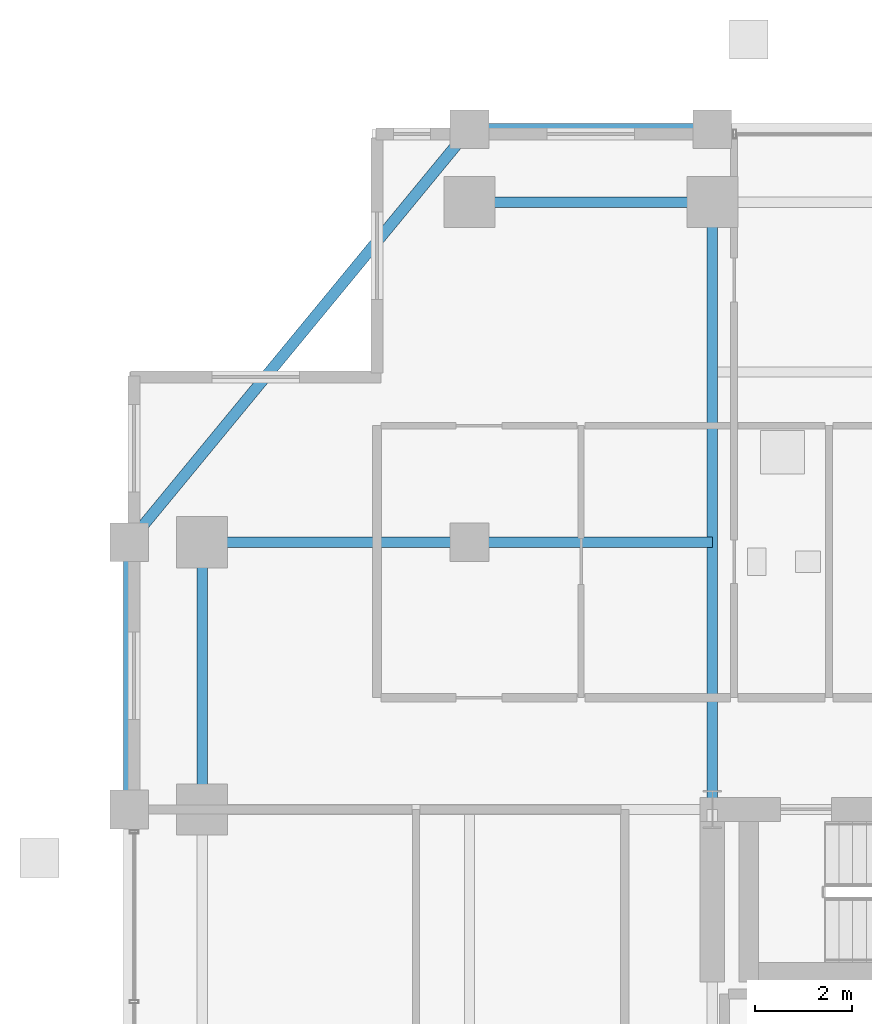
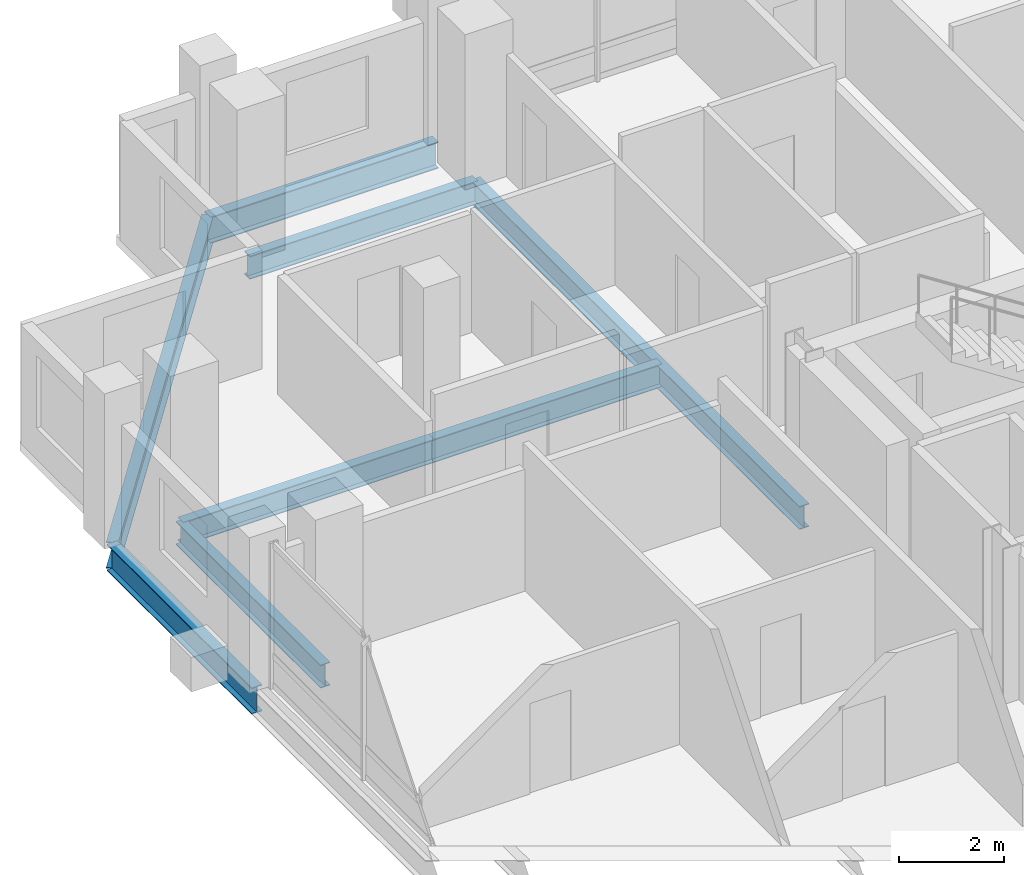
# One storey, part 12 of 24: 8 beams.
"""IFC4 building model written with IfcOpenShell, lengths in metres."""

from ifc_helpers import new_model, si_unit, direction, frame, origin, origin_2d, place, context, subcontext, project, spatial, i_section, extrude, material, material_profile, profile_set, type_object, element, save


model = new_model("IFC4")

# Units and contexts
model_context = context("Model", 3, precision=1e-05, world=origin(), true_north=direction((0.0, 1.0)))
body_context = subcontext(model_context, "Body", "Model", "MODEL_VIEW")
ifc_project = project(units=[si_unit("LENGTHUNIT", "METRE"), si_unit("AREAUNIT", "SQUARE_METRE"), si_unit("VOLUMEUNIT", "CUBIC_METRE"), si_unit("PLANEANGLEUNIT", "RADIAN"), si_unit("MASSUNIT", "GRAM", prefix="KILO")], contexts=[model_context])

# Site, building, storey
site_placement = place(None, origin())
site = spatial("IfcSite", under=ifc_project, at=site_placement, CompositionType="ELEMENT")
building_placement = place(site_placement, origin())
building = spatial("IfcBuilding", under=site, at=building_placement, Name="Barlavira Tower and Art Museum", CompositionType="ELEMENT")
storey_placement = place(building_placement, frame((0.0, 0.0, 169.199951171875)))
storey = spatial("IfcBuildingStorey", under=building, at=storey_placement, Name="L43", CompositionType="ELEMENT", Elevation=169.199951171875)

# Beams
ifc_material = material(Name="Steel S355", Category="steel")
ifc_material_profile_1 = material_profile(ifc_material, i_section(OverallWidth=0.22998046875, OverallDepth=0.616943359375, WebThickness=0.01318359375, FlangeThickness=0.022216796875, at=origin_2d()), Name="W610x140.0")
ifc_profile_set_1 = profile_set([ifc_material_profile_1], Name="Steel S355")
beam_type_1 = type_object("IfcBeamType", Name="Upper Shaft Spandrel Edge Beam W610x140 Steel S355", PredefinedType="SPANDREL", material=ifc_profile_set_1)
beam_1_placement = place(storey_placement, frame((-11.5, 21.5, -0.528564453125), z_axis=(1.0, 0.0, 0.0), x_axis=(0.0, 1.0, 0.0)))
element("IfcBeam", 1, at=beam_1_placement, inside=storey, type_object=beam_type_1, Name="L43 Spandrel 11", PredefinedType="SPANDREL", context=body_context, shape_type="SweptSolid", body=[
    extrude(i_section(OverallWidth=0.22998046875, OverallDepth=0.616943359375, WebThickness=0.01318359375, FlangeThickness=0.022216796875, at=origin_2d()), origin(), (0.0, 0.0, 1.0), 5.0),
])
beam_2_placement = place(storey_placement, frame((-11.5, 21.5, -0.528564453125), z_axis=(-0.635707252861, -0.771930235617, 0.0), x_axis=(0.771930235617, -0.635707252861, 0.0)))
element("IfcBeam", 2, at=beam_2_placement, inside=storey, type_object=beam_type_1, Name="L43 Spandrel 12", PredefinedType="SPANDREL", context=body_context, shape_type="SweptSolid", body=[
    extrude(i_section(OverallWidth=0.22998046875, OverallDepth=0.616943359375, WebThickness=0.01318359375, FlangeThickness=0.022216796875, at=origin_2d()), origin(), (0.0, 0.0, 1.0), 11.011474609375),
])
beam_3_placement = place(storey_placement, frame((-18.5, 7.5, -0.528564453125), z_axis=(0.0, 1.0, 0.0), x_axis=(-1.0, 0.0, 0.0)))
element("IfcBeam", 3, at=beam_3_placement, inside=storey, type_object=beam_type_1, Name="L43 Spandrel 13", PredefinedType="SPANDREL", context=body_context, shape_type="SweptSolid", body=[
    extrude(i_section(OverallWidth=0.22998046875, OverallDepth=0.616943359375, WebThickness=0.01318359375, FlangeThickness=0.022216796875, at=origin_2d()), origin(), (0.0, 0.0, 1.0), 5.5),
])
ifc_material_profile_2 = material_profile(ifc_material, i_section(OverallWidth=0.2109375, OverallDepth=0.5390625, WebThickness=0.01171875, FlangeThickness=0.018798828125, at=origin_2d()), Name="W530x109.0")
ifc_profile_set_2 = profile_set([ifc_material_profile_2], Name="Steel S355")
beam_type_2 = type_object("IfcBeamType", Name="Zone 3-4 Primary Floor Girder W530x109 Steel S355", PredefinedType="BEAM", material=ifc_profile_set_2)
beam_4_placement = place(storey_placement, frame((-11.5, 20.0, -0.489501953125), z_axis=(1.0, 0.0, 0.0), x_axis=(0.0, 1.0, 0.0)))
element("IfcBeam", 4, at=beam_4_placement, inside=storey, type_object=beam_type_2, Name="L43 Girder M-N1", PredefinedType="BEAM", context=body_context, shape_type="SweptSolid", body=[
    extrude(i_section(OverallWidth=0.2109375, OverallDepth=0.5390625, WebThickness=0.01171875, FlangeThickness=0.018798828125, at=origin_2d()), origin(), (0.0, 0.0, 1.0), 5.0),
])
beam_5_placement = place(storey_placement, frame((-17.0, 7.5, -0.489501953125), z_axis=(0.0, 1.0, 0.0), x_axis=(-1.0, 0.0, 0.0)))
element("IfcBeam", 5, at=beam_5_placement, inside=storey, type_object=beam_type_2, Name="L43 Girder M-W3", PredefinedType="BEAM", context=body_context, shape_type="SweptSolid", body=[
    extrude(i_section(OverallWidth=0.2109375, OverallDepth=0.5390625, WebThickness=0.01171875, FlangeThickness=0.018798828125, at=origin_2d()), origin(), (0.0, 0.0, 1.0), 5.5),
])
beam_6_placement = place(storey_placement, frame((-6.5, 7.5, -0.489501953125), z_axis=(0.0, 1.0, 0.0), x_axis=(-1.0, 0.0, 0.0)))
element("IfcBeam", 6, at=beam_6_placement, inside=storey, type_object=beam_type_2, Name="L43 Girder R-N1", PredefinedType="BEAM", context=body_context, shape_type="SweptSolid", body=[
    extrude(i_section(OverallWidth=0.2109375, OverallDepth=0.5390625, WebThickness=0.01171875, FlangeThickness=0.018798828125, at=origin_2d()), origin(), (0.0, 0.0, 1.0), 12.5),
])
beam_7_placement = place(storey_placement, frame((-17.0, 13.0, -0.489501953125), z_axis=(1.0, 0.0, 0.0), x_axis=(0.0, 1.0, 0.0)))
element("IfcBeam", 7, at=beam_7_placement, inside=storey, type_object=beam_type_2, Name="L43 Girder I-N1", PredefinedType="BEAM", context=body_context, shape_type="SweptSolid", body=[
    extrude(i_section(OverallWidth=0.2109375, OverallDepth=0.5390625, WebThickness=0.01171875, FlangeThickness=0.018798828125, at=origin_2d()), origin(), (0.0, 0.0, 1.0), 5.5),
])
beam_8_placement = place(storey_placement, frame((-11.5, 13.0, -0.489501953125), z_axis=(1.0, 0.0, 0.0), x_axis=(0.0, 1.0, 0.0)))
element("IfcBeam", 8, at=beam_8_placement, inside=storey, type_object=beam_type_2, Name="L43 Girder I-N2", PredefinedType="BEAM", context=body_context, shape_type="SweptSolid", body=[
    extrude(i_section(OverallWidth=0.2109375, OverallDepth=0.5390625, WebThickness=0.01171875, FlangeThickness=0.018798828125, at=origin_2d()), origin(), (0.0, 0.0, 1.0), 5.0),
])

save(model, "model.ifc")
